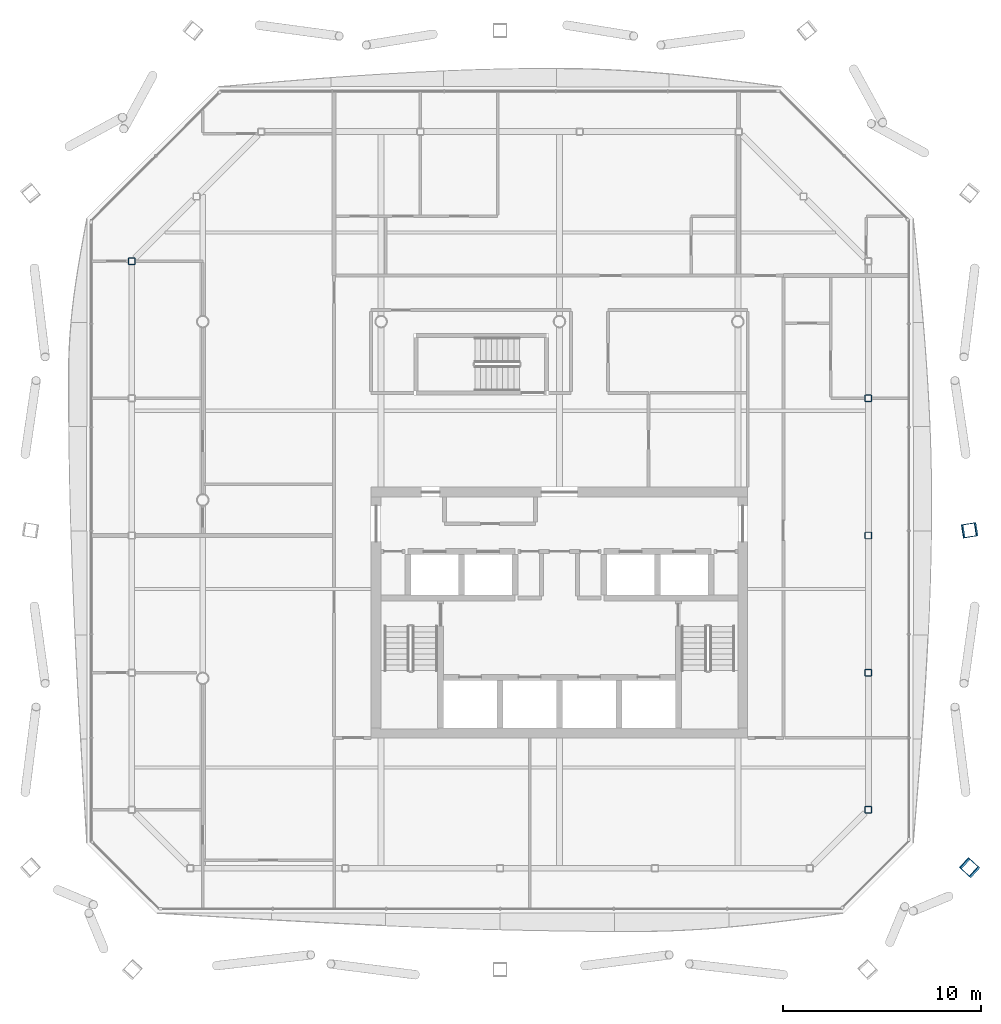
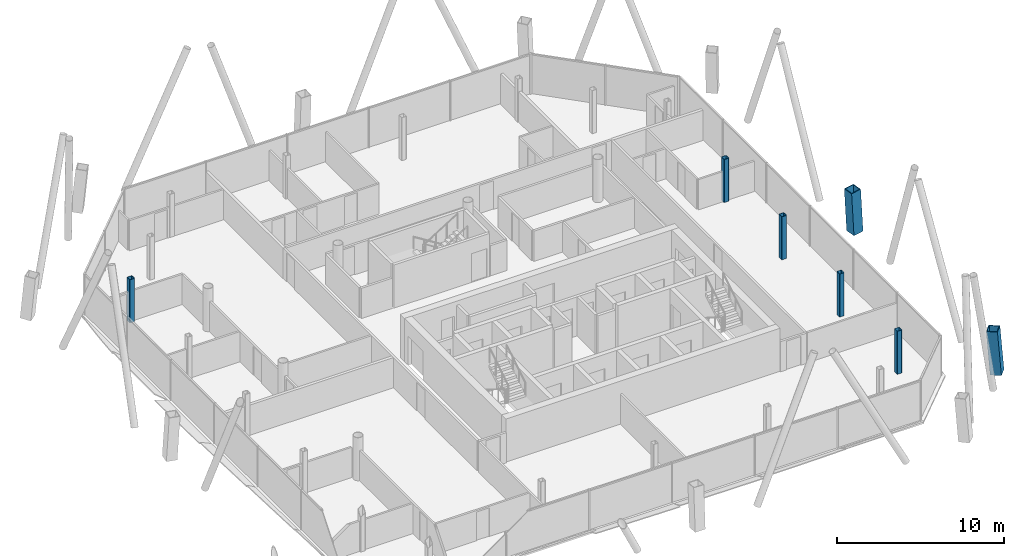
# One storey, part 2 of 20: 7 columns.
"""IFC4 building model written with IfcOpenShell, lengths in metres."""

from ifc_helpers import new_model, si_unit, direction, frame, origin, origin_2d, place, context, subcontext, project, spatial, hollow_rectangle, extrude, material, material_profile, profile_set, type_object, element, save


model = new_model("IFC4")

# Units and contexts
model_context = context("Model", 3, precision=1e-05, world=origin(), true_north=direction((0.0, 1.0)))
body_context = subcontext(model_context, "Body", "Model", "MODEL_VIEW")
ifc_project = project(units=[si_unit("LENGTHUNIT", "METRE"), si_unit("AREAUNIT", "SQUARE_METRE"), si_unit("VOLUMEUNIT", "CUBIC_METRE"), si_unit("PLANEANGLEUNIT", "RADIAN"), si_unit("MASSUNIT", "GRAM", prefix="KILO")], contexts=[model_context])

# Site, building, storey
site_placement = place(None, origin())
site = spatial("IfcSite", under=ifc_project, at=site_placement, CompositionType="ELEMENT")
building_placement = place(site_placement, origin())
building = spatial("IfcBuilding", under=site, at=building_placement, Name="Tskaro Facet Tower", CompositionType="ELEMENT")
storey_placement = place(building_placement, frame((0.0, 0.0, 181.64990234375)))
storey = spatial("IfcBuildingStorey", under=building, at=storey_placement, Name="L45", CompositionType="ELEMENT", Elevation=181.64990234375)

# Columns
ifc_material_1 = material(Name="Steel S460M", Category="steel")
ifc_material_profile_1 = material_profile(ifc_material_1, hollow_rectangle(XDim=0.699951171875, YDim=0.699951171875, WallThickness=0.044921875, at=origin_2d()), Name="BOX 700x700x45")
ifc_profile_set_1 = profile_set([ifc_material_profile_1], Name="Steel S460M")
column_type_1 = type_object("IfcColumnType", Name="BOX 700x700x45 mega column", PredefinedType="COLUMN", material=ifc_profile_set_1)
column_1_placement = place(storey_placement, frame((20.72802734375, -18.5849609375, 0.0), z_axis=(-0.05763896177, 0.052848592293, 0.996937699347), x_axis=(-0.675814105711, -0.737072109445, 0.0)))
element("IfcColumn", 1, at=column_1_placement, inside=storey, type_object=column_type_1, Name="BOX 700x700x45 MC04/4", PredefinedType="COLUMN", context=body_context, shape_type="SweptSolid", body=[
    extrude(hollow_rectangle(XDim=0.699951171875, YDim=0.699951171875, WallThickness=0.044921875, at=origin_2d()), origin(), (0.0, 0.0, 1.0), 3.159912109375),
])
column_2_placement = place(storey_placement, frame((20.72802734375, -1.52490234375, 0.0), z_axis=(-0.057717176415, -0.009206895434, 0.998290519149), x_axis=(0.157525830017, -0.987514867168, 0.0)))
element("IfcColumn", 2, at=column_2_placement, inside=storey, type_object=column_type_1, Name="BOX 700x700x45 MC05/4", PredefinedType="COLUMN", context=body_context, shape_type="SweptSolid", body=[
    extrude(hollow_rectangle(XDim=0.699951171875, YDim=0.699951171875, WallThickness=0.044921875, at=origin_2d()), origin(), (0.0, 0.0, 1.0), 3.155517578125),
])
ifc_material_2 = material(Name="Steel S355J2H", Category="steel")
ifc_material_profile_2 = material_profile(ifc_material_2, hollow_rectangle(XDim=0.35009765625, YDim=0.35009765625, WallThickness=0.02001953125, InnerFilletRadius=0.030029296875, OuterFilletRadius=0.050048828125, at=origin_2d()), Name="SHS 350x350x20")
ifc_profile_set_2 = profile_set([ifc_material_profile_2], Name="Steel S355J2H")
column_type_2 = type_object("IfcColumnType", Name="SHS 350x350x20 ring column", PredefinedType="COLUMN", material=ifc_profile_set_2)
for number, where, z_axis, x_axis, name in (
    (3, (15.5830078125, -15.633056640625, 0.0), (0.0, 0.0, 1.0), (1.0, 0.0, 0.0), "SHS 350x350x20 RE-1/4"),
    (4, (15.5830078125, -8.712890625, 0.0), (0.0, 0.0, 1.0), (1.0, 0.0, 0.0), "SHS 350x350x20 RE-2/4"),
    (5, (15.5830078125, -1.79296875, 0.0), (0.0, 0.0, 1.0), (1.0, 0.0, 0.0), "SHS 350x350x20 RE-3/4"),
    (6, (15.5830078125, 5.1259765625, 0.0), (0.0, 0.0, 1.0), (1.0, 0.0, 0.0), "SHS 350x350x20 RE-4/4"),
    (7, (-21.5830078125, 12.0458984375, 0.0), (0.0, 0.0, 1.0), (1.0, 0.0, 0.0), "SHS 350x350x20 RW-1/4"),
):
    element("IfcColumn", number, at=place(storey_placement, frame(where, z_axis=z_axis, x_axis=x_axis)), inside=storey, type_object=column_type_2, Name=name, PredefinedType="COLUMN", context=body_context, shape_type="SweptSolid", body=[
        extrude(hollow_rectangle(XDim=0.35009765625, YDim=0.35009765625, WallThickness=0.02001953125, InnerFilletRadius=0.030029296875, OuterFilletRadius=0.050048828125, at=origin_2d()), origin(), (0.0, 0.0, 1.0), 3.150146484375),
    ])

save(model, "model.ifc")
